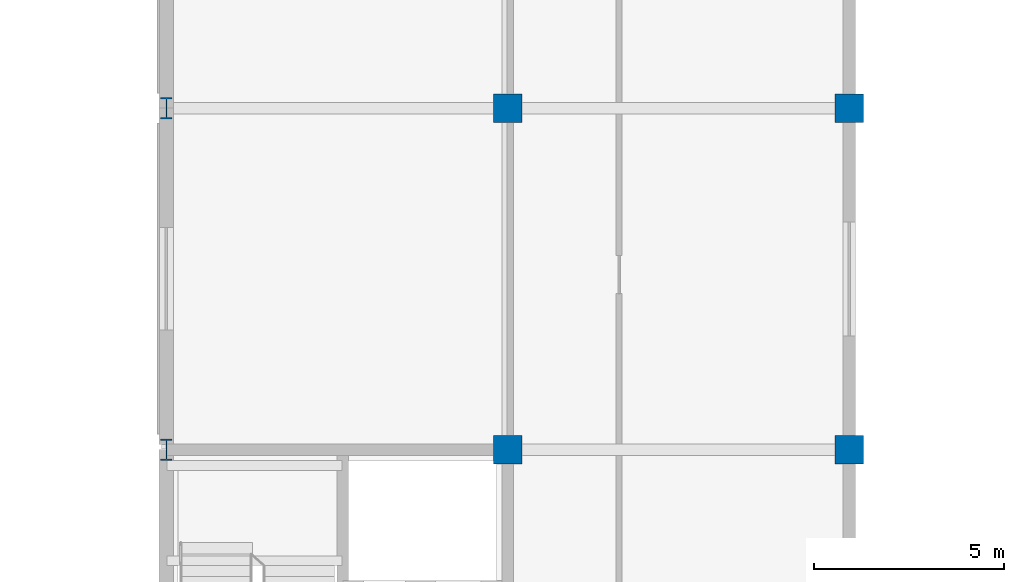
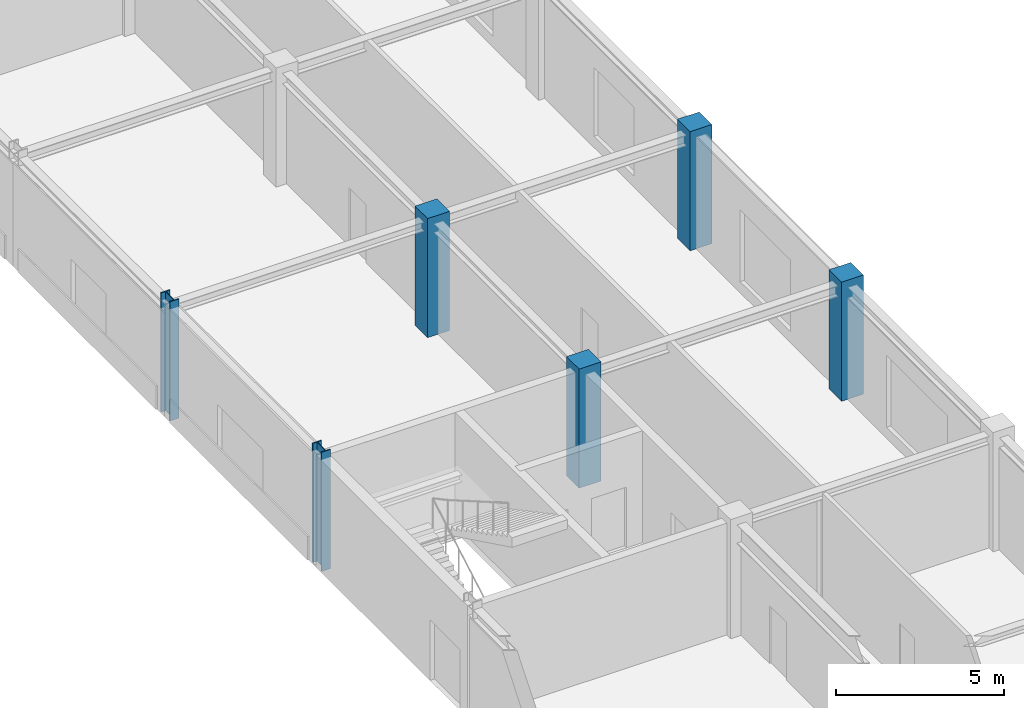
# One storey, part 3 of 72: 6 columns.
"""IFC4 building model written with IfcOpenShell, lengths in metres."""

from ifc_helpers import new_model, si_unit, direction, frame, origin, origin_2d, place, context, subcontext, project, spatial, rectangle, i_section, extrude, material, material_profile, profile_set, type_object, element, save


model = new_model("IFC4")

# Units and contexts
model_context = context("Model", 3, precision=1e-05, world=origin(), true_north=direction((0.0, 1.0)))
body_context = subcontext(model_context, "Body", "Model", "MODEL_VIEW")
ifc_project = project(units=[si_unit("LENGTHUNIT", "METRE"), si_unit("AREAUNIT", "SQUARE_METRE"), si_unit("VOLUMEUNIT", "CUBIC_METRE"), si_unit("PLANEANGLEUNIT", "RADIAN"), si_unit("MASSUNIT", "GRAM", prefix="KILO")], contexts=[model_context])

# Site, building, storey
site_placement = place(None, origin())
site = spatial("IfcSite", under=ifc_project, at=site_placement, CompositionType="ELEMENT")
building_placement = place(site_placement, origin())
building = spatial("IfcBuilding", under=site, at=building_placement, Name="Palais des Congres Ocreval", CompositionType="ELEMENT")
storey_placement = place(building_placement, origin())
storey = spatial("IfcBuildingStorey", under=building, at=storey_placement, Name="L00", CompositionType="ELEMENT", Elevation=0.0)

# Columns
ifc_material_1 = material(Name="Steel S460", Category="steel")
ifc_material_profile_1 = material_profile(ifc_material_1, i_section(OverallWidth=0.305908203125, OverallDepth=0.572021484375, WebThickness=0.02099609375, FlangeThickness=0.0400390625, at=origin_2d()), Name="HEM 550")
ifc_profile_set_1 = profile_set([ifc_material_profile_1], Name="Steel S460")
column_type_1 = type_object("IfcColumnType", Name="Column HEM 550 Steel S460", PredefinedType="COLUMN", material=ifc_profile_set_1)
for number, where, z_axis, x_axis, name in (
    (1, (0.0, 45.0, 0.0), (0.0, 0.0, 1.0), (1.0, 0.0, 0.0), "Column C05 L00"),
    (2, (0.0, 54.0, 0.0), (0.0, 0.0, 1.0), (1.0, 0.0, 0.0), "Column C05 L00"),
):
    element("IfcColumn", number, at=place(storey_placement, frame(where, z_axis=z_axis, x_axis=x_axis)), inside=storey, type_object=column_type_1, Name=name, PredefinedType="COLUMN", context=body_context, shape_type="SweptSolid", body=[
        extrude(i_section(OverallWidth=0.305908203125, OverallDepth=0.572021484375, WebThickness=0.02099609375, FlangeThickness=0.0400390625, at=origin_2d()), origin(), (0.0, 0.0, 1.0), 4.320068359375),
    ])
ifc_material_2 = material(Name="Concrete C40/50", Category="concrete")
ifc_material_profile_2 = material_profile(ifc_material_2, rectangle(XDim=0.75, YDim=0.75, at=origin_2d()), Name="RC 750x750")
ifc_profile_set_2 = profile_set([ifc_material_profile_2], Name="Concrete C40/50")
column_type_2 = type_object("IfcColumnType", Name="Column RC 750x750 Concrete C40/50", PredefinedType="COLUMN", material=ifc_profile_set_2)
for number, where, z_axis, x_axis, name in (
    (3, (9.0, 45.0, 0.0), (0.0, 0.0, 1.0), (1.0, 0.0, 0.0), "Column C22 L00"),
    (4, (9.0, 54.0, 0.0), (0.0, 0.0, 1.0), (1.0, 0.0, 0.0), "Column C22 L00"),
    (5, (18.0, 45.0, 0.0), (0.0, 0.0, 1.0), (1.0, 0.0, 0.0), "Column C22 L00"),
    (6, (18.0, 54.0, 0.0), (0.0, 0.0, 1.0), (1.0, 0.0, 0.0), "Column C22 L00"),
):
    element("IfcColumn", number, at=place(storey_placement, frame(where, z_axis=z_axis, x_axis=x_axis)), inside=storey, type_object=column_type_2, Name=name, PredefinedType="COLUMN", context=body_context, shape_type="SweptSolid", body=[
        extrude(rectangle(XDim=0.75, YDim=0.75, at=origin_2d()), origin(), (0.0, 0.0, 1.0), 4.320068359375),
    ])

save(model, "model.ifc")
